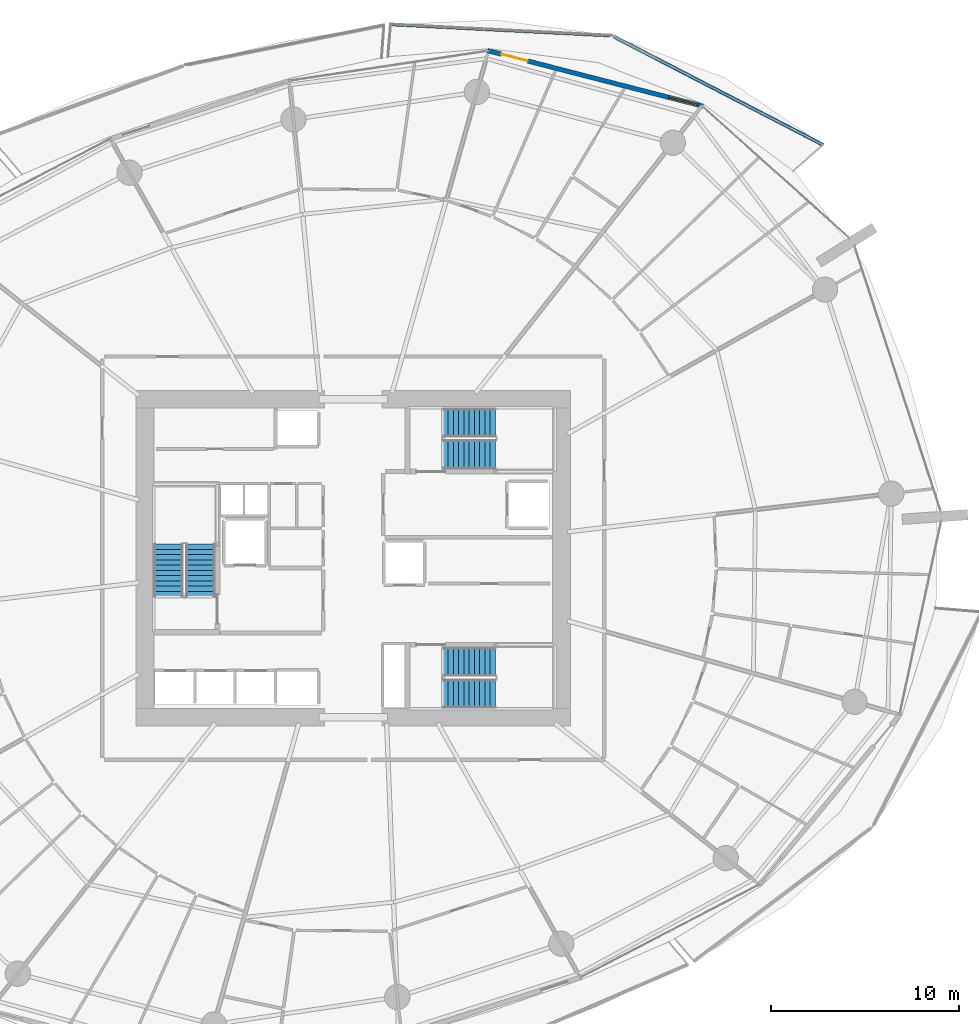
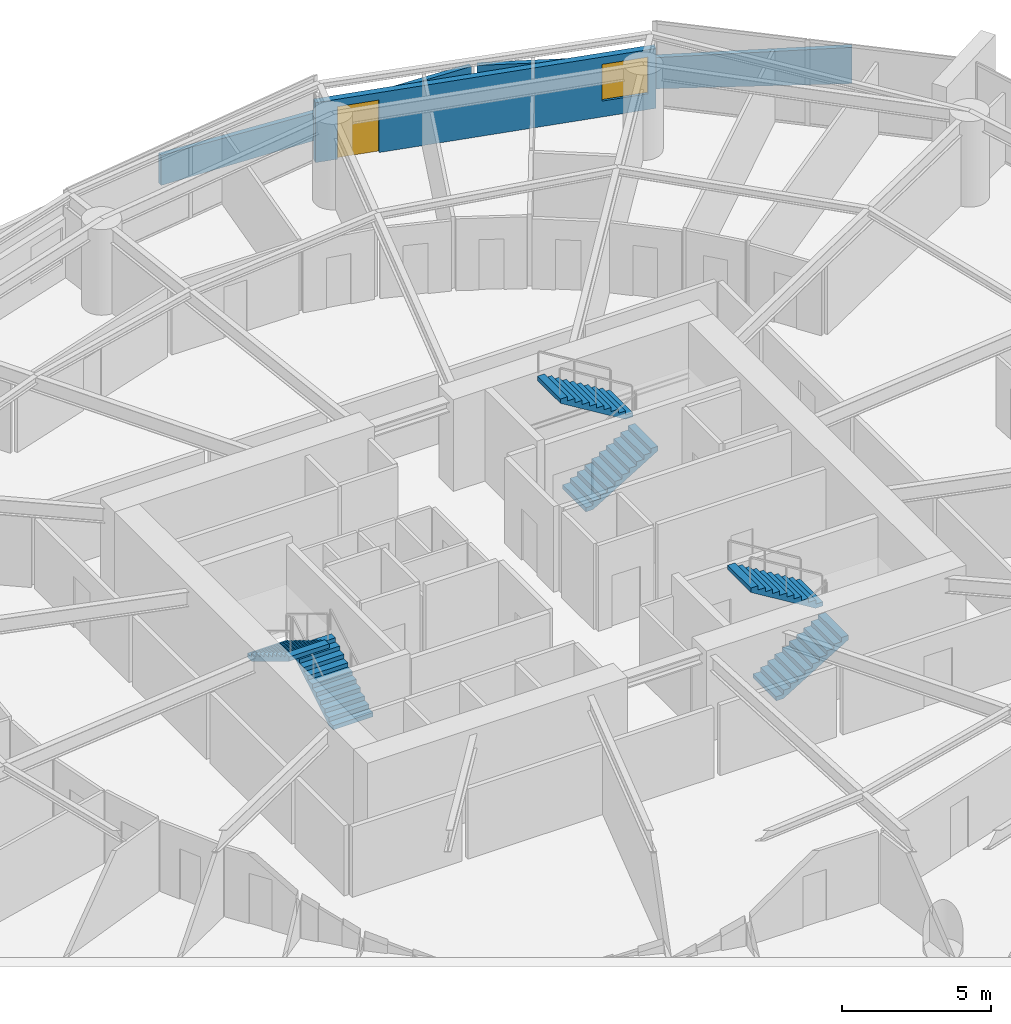
# One storey, part 24 of 31: 6 stair flights, 3 walls, 1 door, 1 window, 2 openings, 3 elements without a shape of their own.
"""IFC4 building model written with IfcOpenShell, lengths in metres."""

from ifc_helpers import new_model, si_unit, direction, frame, frame_2d, origin, place, context, subcontext, project, spatial, polyline, rectangle, outline, extrude, material, layer, layer_set, type_object, element, fill, aggregate, save


model = new_model("IFC4")

# Units and contexts
model_context = context("Model", 3, precision=1e-05, world=origin(), true_north=direction((0.0, 1.0)))
body_context = subcontext(model_context, "Body", "Model", "MODEL_VIEW")
ifc_project = project(units=[si_unit("LENGTHUNIT", "METRE"), si_unit("AREAUNIT", "SQUARE_METRE"), si_unit("VOLUMEUNIT", "CUBIC_METRE"), si_unit("PLANEANGLEUNIT", "RADIAN"), si_unit("MASSUNIT", "GRAM", prefix="KILO")], contexts=[model_context])

# Site, building, storey
site_placement = place(None, origin())
site = spatial("IfcSite", under=ifc_project, at=site_placement, CompositionType="ELEMENT")
building_placement = place(site_placement, origin())
building = spatial("IfcBuilding", under=site, at=building_placement, Name="Kazma Halo Residences", CompositionType="ELEMENT")
storey_placement = place(building_placement, frame((0.0, 0.0, 52.64990234375)))
storey = spatial("IfcBuildingStorey", under=building, at=storey_placement, Name="L12", CompositionType="ELEMENT", Elevation=52.64990234375)

# Walls
ifc_material_1 = material(Name="White Concrete C50/60 Balustrade", Category="concrete")
ifc_layer_1 = layer(ifc_material_1, 0.179931640625)
ifc_layer_set_1 = layer_set([ifc_layer_1], Name="White Concrete C50/60 Balustrade")
wall_type_1 = type_object("IfcWallType", Name="WL-BAL-WAVE-180", PredefinedType="PARAPET", material=ifc_layer_set_1)
wall_1_placement = place(storey_placement, frame((73.473388671875, 64.02685546875, 0.0), z_axis=(0.0, 0.0, 1.0), x_axis=(-0.888165194013, 0.459524306368, 0.0)))
element("IfcWall", 1, at=wall_1_placement, inside=storey, type_object=wall_type_1, Name="L12 white wave balustrade wall NE.1", PredefinedType="PARAPET", context=body_context, shape_type="SweptSolid", body=[
    extrude(outline(polyline([(0.0, 0.0), (12.5771484375, 0.0), (12.5771484375, 1.148193359375), (6.28857421875, 1.2841796875), (0.0, 1.483154296875), (0.0, 0.0)])), frame((0.0, 0.08984375, 0.0), z_axis=(0.0, -1.0, 0.0), x_axis=(1.0, 0.0, 0.0)), (0.0, 0.0, 1.0), 0.179931640625),
])
wall_2_placement = place(storey_placement, frame((62.076416015625, 69.867431640625, 0.0), z_axis=(0.0, 0.0, 1.0), x_axis=(-0.998712715241, 0.050723884084, 0.0)))
element("IfcWall", 2, at=wall_2_placement, inside=storey, type_object=wall_type_1, Name="L12 white wave balustrade wall NE.2", PredefinedType="PARAPET", context=body_context, shape_type="SweptSolid", body=[
    extrude(outline(polyline([(0.0, 0.0), (11.6767578125, 0.0), (11.676513671875, 1.22412109375), (5.83837890625, 1.127197265625), (0.0, 1.148193359375), (0.0, 0.0)])), frame((0.0, 0.08984375, 0.0), z_axis=(0.0, -1.0, 0.0), x_axis=(1.0, 0.0, 0.0)), (0.0, 0.0, 1.0), 0.179931640625),
])

# Wall, openings, door, window
ifc_material_2 = material(Name="Insulated Pale-Metal Composite Wall")
ifc_layer_2 = layer(ifc_material_2, 0.239990234375)
ifc_layer_set_2 = layer_set([ifc_layer_2], Name="Insulated Pale-Metal Composite Wall")
wall_type_2 = type_object("IfcWallType", Name="WL-EXT-HOST-240", PredefinedType="SOLIDWALL", material=ifc_layer_set_2)
wall_3_placement = place(storey_placement, frame((67.05419921875, 66.09619140625, 0.0), z_axis=(0.0, 0.0, 1.0), x_axis=(-0.96833871487, 0.249640007378, 0.0)))
wall_3 = element("IfcWall", 3, at=wall_3_placement, inside=storey, type_object=wall_type_2, Name="L12 exterior terrace-access wall B02", PredefinedType="SOLIDWALL", context=body_context, shape_type="SweptSolid", body=[
    extrude(rectangle(XDim=11.85107421875, YDim=0.239990234375, at=frame_2d((5.925537109375, 0.0))), origin(), (0.0, 0.0, 1.0), 2.4501953125),
])
opening_1_placement = place(wall_3_placement, frame((9.631103515625, 0.0, 0.0)))
opening_1 = element("IfcOpeningElement", 4, at=opening_1_placement, cuts=wall_3, Name="Opening DTR-1600", PredefinedType="OPENING", context=body_context, shape_type="SweptSolid", body=[
    extrude(rectangle(XDim=1.449951171875, YDim=2.14990234375, at=frame_2d((0.72509765625, 1.074951171875))), frame((0.0, 0.1298828125, 0.0), z_axis=(0.0, -1.0, 0.0), x_axis=(1.0, 0.0, 0.0)), (0.0, 0.0, 1.0), 0.260009765625),
])
opening_2_placement = place(wall_3_placement, frame((0.280029296875, 0.0, 0.64990234375)))
opening_2 = element("IfcOpeningElement", 5, at=opening_2_placement, cuts=wall_3, Name="Opening W-1800", PredefinedType="OPENING", context=body_context, shape_type="SweptSolid", body=[
    extrude(rectangle(XDim=1.60009765625, YDim=1.5, at=frame_2d((0.800048828125, 0.75))), frame((0.0, 0.1298828125, 0.0), z_axis=(0.0, -1.0, 0.0), x_axis=(1.0, 0.0, 0.0)), (0.0, 0.0, 1.0), 0.260009765625),
])
ifc_material_3 = material(Name="Aluminium AW-6063 T6 Double-Glazed Terrace Door", Category="aluminium")
door_type = type_object("IfcDoorType", Name="DR-EXT-TERR-1600", OperationType="NOTDEFINED", PredefinedType="DOOR", material=ifc_material_3)
door_placement = place(opening_1_placement, origin())
door = element("IfcDoor", 6, at=door_placement, inside=storey, type_object=door_type, Name="L12 B02 balcony terrace door", OperationType="DOUBLE_DOOR_SLIDING", OverallHeight=2.14990234375, OverallWidth=1.449951171875, PredefinedType="DOOR", context=body_context, shape_type="SweptSolid", body=[
    extrude(rectangle(XDim=1.449951171875, YDim=2.14990234375, at=frame_2d((0.72509765625, 1.074951171875))), frame((0.0, 0.02490234375, 0.0), z_axis=(0.0, -1.0, 0.0), x_axis=(1.0, 0.0, 0.0)), (0.0, 0.0, 1.0), 0.050048828125),
])
fill(opening_1, door)
ifc_material_4 = material(Name="Clear Triple-Silver Low-E Glass in Aluminium AW-6063 T6 Frame", Category="aluminium")
window_type = type_object("IfcWindowType", Name="WIN-RES-1800", PartitioningType="DOUBLE_PANEL_VERTICAL", PredefinedType="WINDOW", material=ifc_material_4)
window_placement = place(opening_2_placement, origin())
window = element("IfcWindow", 7, at=window_placement, inside=storey, type_object=window_type, Name="L12 B02 apartment window", OverallHeight=1.5, OverallWidth=1.60009765625, PartitioningType="SINGLE_PANEL", PredefinedType="WINDOW", context=body_context, shape_type="SweptSolid", body=[
    extrude(rectangle(XDim=1.60009765625, YDim=1.5, at=frame_2d((0.800048828125, 0.75))), frame((0.0, 0.030029296875, 0.0), z_axis=(0.0, -1.0, 0.0), x_axis=(1.0, 0.0, 0.0)), (0.0, 0.0, 1.0), 0.06005859375),
])
fill(opening_2, window)

# Stair, stair flights
ifc_material_5 = material(Name="Concrete C50/60", Category="concrete")
stair_type = type_object("IfcStairType", Name="STR-RES1", PredefinedType="HALF_TURN_STAIR", material=ifc_material_5)
stair_1_placement = place(storey_placement, origin())
stair_1 = element("IfcStair", 8, at=stair_1_placement, inside=storey, type_object=stair_type, Name="L12 Core exit stair ST-01", PredefinedType="HALF_TURN_STAIR")
stair_flight_type = type_object("IfcStairFlightType", Name="STR-RES1-FLT", PredefinedType="STRAIGHT", material=ifc_material_5)
stair_flight_1_placement = place(storey_placement, frame((40.27490234375, 39.949951171875, 0.0), z_axis=(0.0, 0.0, 1.0), x_axis=(0.0, 1.0, 0.0)))
stair_flight_1 = element("IfcStairFlight", 9, at=stair_flight_1_placement, type_object=stair_flight_type, Name="ST-01 flight 1", NumberOfRisers=11, NumberOfTreads=10, PredefinedType="STRAIGHT", RiserHeight=0.170454545, TreadLength=0.28, context=body_context, shape_type="SweptSolid", body=[
    extrude(outline(polyline([(0.0, 0.0), (0.0, 0.17041015625), (0.280029296875, 0.17041015625), (0.280029296875, 0.3408203125), (0.56005859375, 0.3408203125), (0.56005859375, 0.511474609375), (0.840087890625, 0.511474609375), (0.840087890625, 0.681884765625), (1.1201171875, 0.681884765625), (1.1201171875, 0.852294921875), (1.39990234375, 0.852294921875), (1.39990234375, 1.022705078125), (1.679931640625, 1.022705078125), (1.679931640625, 1.193115234375), (1.9599609375, 1.193115234375), (1.9599609375, 1.363525390625), (2.239990234375, 1.363525390625), (2.239990234375, 1.5341796875), (2.52001953125, 1.5341796875), (2.52001953125, 1.70458984375), (2.800048828125, 1.70458984375), (2.800048828125, 1.875), (2.800048828125, 1.529052734375), (0.288330078125, 0.0), (0.0, 0.0)])), frame((0.0, 0.77490234375, 0.0), z_axis=(0.0, -1.0, 0.0), x_axis=(1.0, 0.0, 0.0)), (0.0, 0.0, 1.0), 1.550048828125),
])
stair_flight_2_placement = place(storey_placement, frame((38.574951171875, 42.75, 1.875), z_axis=(0.0, 0.0, 1.0), x_axis=(0.0, -1.0, 0.0)))
stair_flight_2 = element("IfcStairFlight", 10, at=stair_flight_2_placement, type_object=stair_flight_type, Name="ST-01 flight 2", NumberOfRisers=11, NumberOfTreads=10, PredefinedType="STRAIGHT", RiserHeight=0.170454545, TreadLength=0.28, context=body_context, shape_type="SweptSolid", body=[
    extrude(outline(polyline([(0.0, 0.0), (0.0, 0.17041015625), (0.280029296875, 0.17041015625), (0.280029296875, 0.3408203125), (0.56005859375, 0.3408203125), (0.56005859375, 0.511474609375), (0.840087890625, 0.511474609375), (0.840087890625, 0.681884765625), (1.1201171875, 0.681884765625), (1.1201171875, 0.852294921875), (1.39990234375, 0.852294921875), (1.39990234375, 1.022705078125), (1.679931640625, 1.022705078125), (1.679931640625, 1.193115234375), (1.9599609375, 1.193115234375), (1.9599609375, 1.363525390625), (2.239990234375, 1.363525390625), (2.239990234375, 1.5341796875), (2.52001953125, 1.5341796875), (2.52001953125, 1.70458984375), (2.800048828125, 1.70458984375), (2.800048828125, 1.875), (2.800048828125, 1.529052734375), (0.288330078125, 0.0), (0.0, 0.0)])), frame((0.0, 0.77490234375, 0.0), z_axis=(0.0, -1.0, 0.0), x_axis=(1.0, 0.0, 0.0)), (0.0, 0.0, 1.0), 1.550048828125),
])
aggregate(stair_1, [stair_flight_1, stair_flight_2])

stair_2_placement = place(storey_placement, origin())
stair_2 = element("IfcStair", 11, at=stair_2_placement, inside=storey, type_object=stair_type, Name="L12 Core exit stair ST-02", PredefinedType="HALF_TURN_STAIR")
stair_flight_3_placement = place(storey_placement, frame((53.199951171875, 47.52490234375, 0.0), z_axis=(0.0, 0.0, 1.0), x_axis=(1.0, 0.0, 0.0)))
stair_flight_3 = element("IfcStairFlight", 12, at=stair_flight_3_placement, type_object=stair_flight_type, Name="ST-02 flight 1", NumberOfRisers=11, NumberOfTreads=10, PredefinedType="STRAIGHT", RiserHeight=0.170454545, TreadLength=0.28, context=body_context, shape_type="SweptSolid", body=[
    extrude(outline(polyline([(0.0, 0.0), (0.0, 0.17041015625), (0.280029296875, 0.17041015625), (0.280029296875, 0.3408203125), (0.56005859375, 0.3408203125), (0.56005859375, 0.511474609375), (0.840087890625, 0.511474609375), (0.840087890625, 0.681884765625), (1.1201171875, 0.681884765625), (1.1201171875, 0.852294921875), (1.39990234375, 0.852294921875), (1.39990234375, 1.022705078125), (1.679931640625, 1.022705078125), (1.679931640625, 1.193115234375), (1.9599609375, 1.193115234375), (1.9599609375, 1.363525390625), (2.239990234375, 1.363525390625), (2.239990234375, 1.5341796875), (2.52001953125, 1.5341796875), (2.52001953125, 1.70458984375), (2.800048828125, 1.70458984375), (2.800048828125, 1.875), (2.800048828125, 1.529052734375), (0.288330078125, 0.0), (0.0, 0.0)])), frame((0.0, 0.77490234375, 0.0), z_axis=(0.0, -1.0, 0.0), x_axis=(1.0, 0.0, 0.0)), (0.0, 0.0, 1.0), 1.550048828125),
])
stair_flight_4_placement = place(storey_placement, frame((56.0, 49.22509765625, 1.875), z_axis=(0.0, 0.0, 1.0), x_axis=(-1.0, 0.0, 0.0)))
stair_flight_4 = element("IfcStairFlight", 13, at=stair_flight_4_placement, type_object=stair_flight_type, Name="ST-02 flight 2", NumberOfRisers=11, NumberOfTreads=10, PredefinedType="STRAIGHT", RiserHeight=0.170454545, TreadLength=0.28, context=body_context, shape_type="SweptSolid", body=[
    extrude(outline(polyline([(0.0, 0.0), (0.0, 0.17041015625), (0.280029296875, 0.17041015625), (0.280029296875, 0.3408203125), (0.56005859375, 0.3408203125), (0.56005859375, 0.511474609375), (0.840087890625, 0.511474609375), (0.840087890625, 0.681884765625), (1.1201171875, 0.681884765625), (1.1201171875, 0.852294921875), (1.39990234375, 0.852294921875), (1.39990234375, 1.022705078125), (1.679931640625, 1.022705078125), (1.679931640625, 1.193115234375), (1.9599609375, 1.193115234375), (1.9599609375, 1.363525390625), (2.239990234375, 1.363525390625), (2.239990234375, 1.5341796875), (2.52001953125, 1.5341796875), (2.52001953125, 1.70458984375), (2.800048828125, 1.70458984375), (2.800048828125, 1.875), (2.800048828125, 1.529052734375), (0.288330078125, 0.0), (0.0, 0.0)])), frame((0.0, 0.77490234375, 0.0), z_axis=(0.0, -1.0, 0.0), x_axis=(1.0, 0.0, 0.0)), (0.0, 0.0, 1.0), 1.550048828125),
])
aggregate(stair_2, [stair_flight_3, stair_flight_4])

stair_3_placement = place(storey_placement, origin())
stair_3 = element("IfcStair", 14, at=stair_3_placement, inside=storey, type_object=stair_type, Name="L12 Core exit stair ST-03", PredefinedType="HALF_TURN_STAIR")
stair_flight_5_placement = place(storey_placement, frame((53.199951171875, 34.77490234375, 0.0), z_axis=(0.0, 0.0, 1.0), x_axis=(1.0, 0.0, 0.0)))
stair_flight_5 = element("IfcStairFlight", 15, at=stair_flight_5_placement, type_object=stair_flight_type, Name="ST-03 flight 1", NumberOfRisers=11, NumberOfTreads=10, PredefinedType="STRAIGHT", RiserHeight=0.170454545, TreadLength=0.28, context=body_context, shape_type="SweptSolid", body=[
    extrude(outline(polyline([(0.0, 0.0), (0.0, 0.17041015625), (0.280029296875, 0.17041015625), (0.280029296875, 0.3408203125), (0.56005859375, 0.3408203125), (0.56005859375, 0.511474609375), (0.840087890625, 0.511474609375), (0.840087890625, 0.681884765625), (1.1201171875, 0.681884765625), (1.1201171875, 0.852294921875), (1.39990234375, 0.852294921875), (1.39990234375, 1.022705078125), (1.679931640625, 1.022705078125), (1.679931640625, 1.193115234375), (1.9599609375, 1.193115234375), (1.9599609375, 1.363525390625), (2.239990234375, 1.363525390625), (2.239990234375, 1.5341796875), (2.52001953125, 1.5341796875), (2.52001953125, 1.70458984375), (2.800048828125, 1.70458984375), (2.800048828125, 1.875), (2.800048828125, 1.529052734375), (0.288330078125, 0.0), (0.0, 0.0)])), frame((0.0, 0.77490234375, 0.0), z_axis=(0.0, -1.0, 0.0), x_axis=(1.0, 0.0, 0.0)), (0.0, 0.0, 1.0), 1.550048828125),
])
stair_flight_6_placement = place(storey_placement, frame((56.0, 36.47509765625, 1.875), z_axis=(0.0, 0.0, 1.0), x_axis=(-1.0, 0.0, 0.0)))
stair_flight_6 = element("IfcStairFlight", 16, at=stair_flight_6_placement, type_object=stair_flight_type, Name="ST-03 flight 2", NumberOfRisers=11, NumberOfTreads=10, PredefinedType="STRAIGHT", RiserHeight=0.170454545, TreadLength=0.28, context=body_context, shape_type="SweptSolid", body=[
    extrude(outline(polyline([(0.0, 0.0), (0.0, 0.17041015625), (0.280029296875, 0.17041015625), (0.280029296875, 0.3408203125), (0.56005859375, 0.3408203125), (0.56005859375, 0.511474609375), (0.840087890625, 0.511474609375), (0.840087890625, 0.681884765625), (1.1201171875, 0.681884765625), (1.1201171875, 0.852294921875), (1.39990234375, 0.852294921875), (1.39990234375, 1.022705078125), (1.679931640625, 1.022705078125), (1.679931640625, 1.193115234375), (1.9599609375, 1.193115234375), (1.9599609375, 1.363525390625), (2.239990234375, 1.363525390625), (2.239990234375, 1.5341796875), (2.52001953125, 1.5341796875), (2.52001953125, 1.70458984375), (2.800048828125, 1.70458984375), (2.800048828125, 1.875), (2.800048828125, 1.529052734375), (0.288330078125, 0.0), (0.0, 0.0)])), frame((0.0, 0.77490234375, 0.0), z_axis=(0.0, -1.0, 0.0), x_axis=(1.0, 0.0, 0.0)), (0.0, 0.0, 1.0), 1.550048828125),
])
aggregate(stair_3, [stair_flight_5, stair_flight_6])

save(model, "model.ifc")
